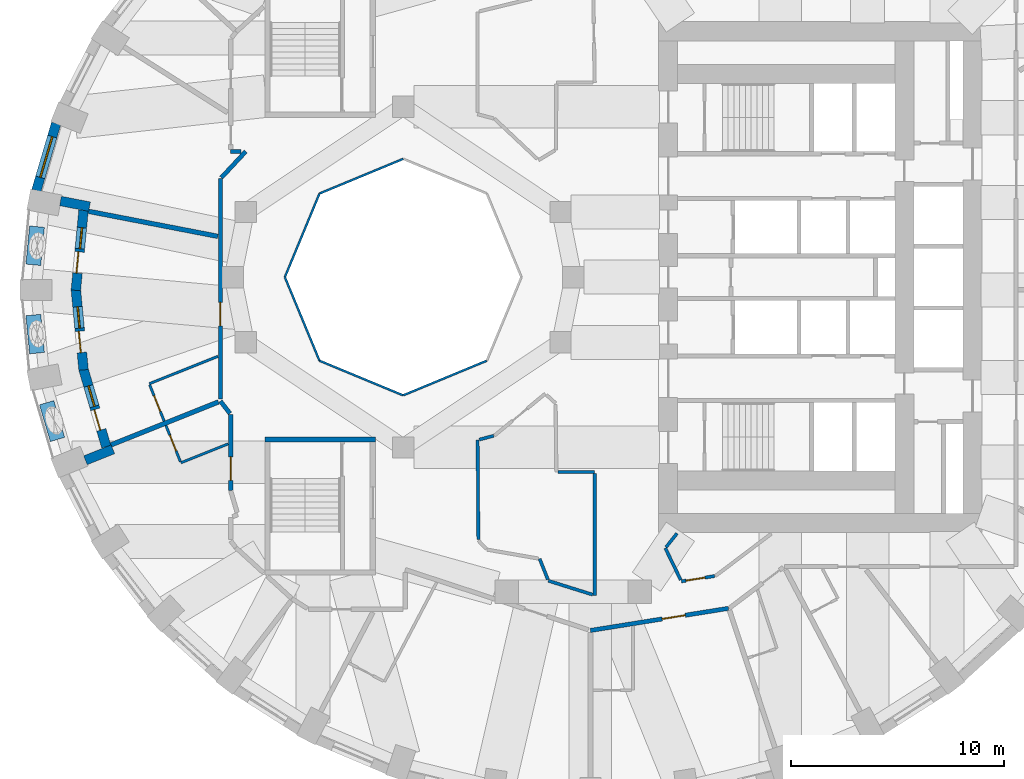
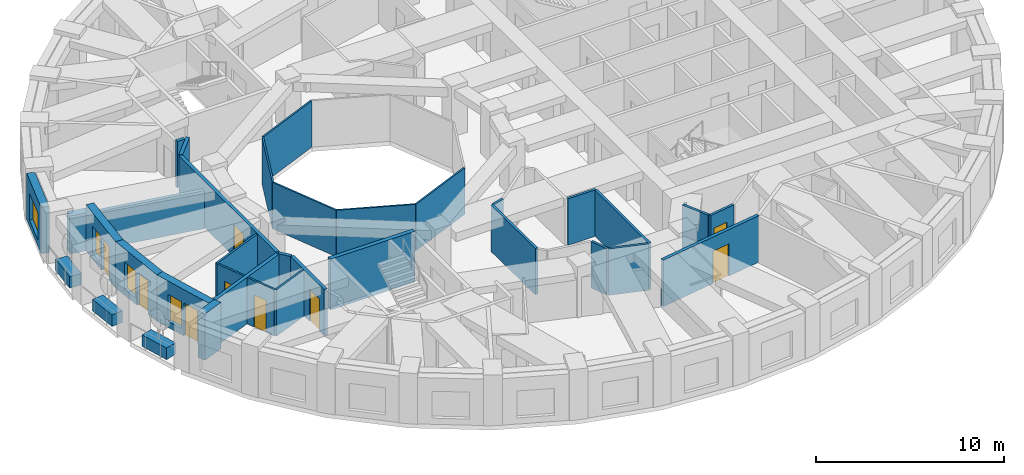
# One storey, part 4 of 12: 36 walls, 9 doors, 4 windows, 13 openings.
"""IFC4 building model written with IfcOpenShell, lengths in metres."""

from ifc_helpers import new_model, si_unit, direction, frame, frame_2d, origin, place, context, subcontext, project, spatial, rectangle, extrude, material, layer, layer_set, constituent, constituent_set, type_object, element, fill, save


model = new_model("IFC4")

# Units and contexts
model_context = context("Model", 3, precision=1e-05, world=origin(), true_north=direction((0.0, 1.0)))
body_context = subcontext(model_context, "Body", "Model", "MODEL_VIEW")
ifc_project = project(units=[si_unit("LENGTHUNIT", "METRE"), si_unit("AREAUNIT", "SQUARE_METRE"), si_unit("VOLUMEUNIT", "CUBIC_METRE"), si_unit("PLANEANGLEUNIT", "RADIAN"), si_unit("MASSUNIT", "GRAM", prefix="KILO")], contexts=[model_context])

# Site, building, storey
site_placement = place(None, origin())
site = spatial("IfcSite", under=ifc_project, at=site_placement, CompositionType="ELEMENT")
building_placement = place(site_placement, origin())
building = spatial("IfcBuilding", under=site, at=building_placement, Name="Taillehof Tower", CompositionType="ELEMENT")
storey_placement = place(building_placement, frame((0.0, 0.0, 98.800048828125)))
storey = spatial("IfcBuildingStorey", under=building, at=storey_placement, Name="L27", CompositionType="ELEMENT", Elevation=98.800048828125)

# Walls
ifc_material_1 = material(Name="Fire-resisting glass in steel frame", Category="steel")
ifc_layer_1 = layer(ifc_material_1, 0.10009765625)
ifc_layer_set_1 = layer_set([ifc_layer_1], Name="Atrium fire-resisting screen EI 60 100")
wall_type_1 = type_object("IfcWallType", Name="Atrium fire-resisting screen EI 60 100", PredefinedType="PARTITIONING", material=ifc_layer_set_1)
for number, where, z_axis, x_axis, name in (
    (1, (-4.07275390625, -3.92724609375, 0.0), (0.0, 0.0, 1.0), (-0.923860025149, -0.382730523909, 0.0), "Atrium screen"),
    (2, (-8.0, -5.55419921875, 0.0), (0.0, 0.0, 1.0), (-0.923860025149, 0.382730523909, 0.0), "Atrium screen"),
    (3, (-11.92724609375, -3.92724609375, 0.0), (0.0, 0.0, 1.0), (-0.382730523909, 0.923860025149, 0.0), "Atrium screen"),
    (4, (-13.55419921875, 0.0, 0.0), (0.0, 0.0, 1.0), (0.382730523909, 0.923860025149, 0.0), "Atrium screen"),
    (5, (-11.92724609375, 3.92724609375, 0.0), (0.0, 0.0, 1.0), (0.923860025149, 0.382730523909, 0.0), "Atrium screen"),
):
    element("IfcWall", number, at=place(storey_placement, frame(where, z_axis=z_axis, x_axis=x_axis)), inside=storey, type_object=wall_type_1, Name=name, PredefinedType="PARTITIONING", context=body_context, shape_type="SweptSolid", body=[
        extrude(rectangle(XDim=4.2509765625, YDim=0.10009765625, at=frame_2d((2.12548828125, 0.0))), origin(), (0.0, 0.0, 1.0), 3.02001953125),
    ])

# Wall, opening, window
ifc_material_2 = material(Name="Brick masonry", Category="masonry")
ifc_layer_2 = layer(ifc_material_2, 0.449951171875)
ifc_layer_set_2 = layer_set([ifc_layer_2], Name="Brick infill wall 450")
wall_type_2 = type_object("IfcWallType", Name="Brick infill wall 450", PredefinedType="SOLIDWALL", material=ifc_layer_set_2)
wall_1_placement = place(storey_placement, frame((-24.302001953125, 7.220703125, 0.0), z_axis=(0.0, 0.0, 1.0), x_axis=(-0.283071248438, -0.959098883488, 0.0)))
wall_1 = element("IfcWall", 6, at=wall_1_placement, inside=storey, type_object=wall_type_2, Name="Brick wall L27 bay 17", PredefinedType="SOLIDWALL", context=body_context, shape_type="SweptSolid", body=[
    extrude(rectangle(XDim=3.2861328125, YDim=0.449951171875, at=frame_2d((1.64306640625, 0.0))), origin(), (0.0, 0.0, 1.0), 3.02001953125),
])
opening_1_placement = place(wall_1_placement, frame((0.64306640625, 0.0, 0.39990234375)))
opening_1 = element("IfcOpeningElement", 7, at=opening_1_placement, cuts=wall_1, Name="Opening W2", PredefinedType="OPENING", context=body_context, shape_type="SweptSolid", body=[
    extrude(rectangle(XDim=2.0, YDim=1.75, at=frame_2d((1.0, 0.875))), frame((0.0, 0.23486328125, 0.0), z_axis=(0.0, -1.0, 0.0), x_axis=(1.0, 0.0, 0.0)), (0.0, 0.0, 1.0), 0.469970703125),
])
ifc_material_3 = material(Name="Aluminium window frame with clear double glazing", Category="aluminium")
window_type_1 = type_object("IfcWindowType", Name="Deep-set window 2000x1750", PartitioningType="SINGLE_PANEL", PredefinedType="WINDOW", material=ifc_material_3)
window_1_placement = place(opening_1_placement, origin())
window_1 = element("IfcWindow", 8, at=window_1_placement, inside=storey, type_object=window_type_1, Name="W2", OverallHeight=1.75, OverallWidth=2.0, PartitioningType="SINGLE_PANEL", PredefinedType="WINDOW", context=body_context, shape_type="SweptSolid", body=[
    extrude(rectangle(XDim=2.0, YDim=1.75, at=frame_2d((1.0, 0.875))), frame((0.0, 0.034912109375, 0.0), z_axis=(0.0, -1.0, 0.0), x_axis=(1.0, 0.0, 0.0)), (0.0, 0.0, 1.0), 0.06005859375),
])
fill(opening_1, window_1)

# Walls
wall_2_placement = place(storey_placement, frame((-24.09716796875, 3.576416015625, 0.0), z_axis=(0.0, 0.0, 1.0), x_axis=(0.981777736615, -0.190032828447, 0.0)))
element("IfcWall", 9, at=wall_2_placement, inside=storey, type_object=wall_type_2, Name="Brick reveal L27 pocket 5", PredefinedType="SOLIDWALL", context=body_context, shape_type="SweptSolid", body=[
    extrude(rectangle(XDim=1.39013671875, YDim=0.449951171875, at=frame_2d((0.695068359375, 0.0))), origin(), (0.0, 0.0, 1.0), 2.469970703125),
])
wall_3_placement = place(storey_placement, frame((-22.92626953125, -8.60498046875, 0.0), z_axis=(0.0, 0.0, 1.0), x_axis=(0.928549333349, 0.371209018665, 0.0)))
element("IfcWall", 10, at=wall_3_placement, inside=storey, type_object=wall_type_2, Name="Brick reveal L27 pocket 5", PredefinedType="SOLIDWALL", context=body_context, shape_type="SweptSolid", body=[
    extrude(rectangle(XDim=1.390380859375, YDim=0.449951171875, at=frame_2d((0.6953125, 0.0))), origin(), (0.0, 0.0, 1.0), 3.02001953125),
])

# Wall, openings, door, window
wall_4_placement = place(storey_placement, frame((-23.0146484375, 3.1376953125, 0.0), z_axis=(0.0, 0.0, 1.0), x_axis=(-0.095675452713, -0.995412581671, 0.0)))
wall_4 = element("IfcWall", 11, at=wall_4_placement, inside=storey, type_object=wall_type_2, Name="Brick wall L27 pocket bay 18", PredefinedType="SOLIDWALL", context=body_context, shape_type="SweptSolid", body=[
    extrude(rectangle(XDim=3.776611328125, YDim=0.449951171875, at=frame_2d((1.88818359375, 0.0))), origin(), (0.0, 0.0, 1.0), 3.02001953125),
])
opening_2_placement = place(wall_4_placement, frame((0.813232421875, 0.0, 0.39990234375)))
opening_2 = element("IfcOpeningElement", 12, at=opening_2_placement, cuts=wall_4, Name="Opening W5", PredefinedType="OPENING", context=body_context, shape_type="SweptSolid", body=[
    extrude(rectangle(XDim=1.0, YDim=1.75, at=frame_2d((0.5, 0.875))), frame((0.0, 0.23486328125, 0.0), z_axis=(0.0, -1.0, 0.0), x_axis=(1.0, 0.0, 0.0)), (0.0, 0.0, 1.0), 0.469970703125),
])
opening_3_placement = place(wall_4_placement, frame((1.96337890625, 0.0, 0.0)))
opening_3 = element("IfcOpeningElement", 13, at=opening_3_placement, cuts=wall_4, Name="Opening D2794", PredefinedType="OPENING", context=body_context, shape_type="SweptSolid", body=[
    extrude(rectangle(XDim=1.0, YDim=2.14990234375, at=frame_2d((0.5, 1.074951171875))), frame((0.0, 0.23486328125, 0.0), z_axis=(0.0, -1.0, 0.0), x_axis=(1.0, 0.0, 0.0)), (0.0, 0.0, 1.0), 0.469970703125),
])
ifc_material_4 = material(Name="Aluminium door frame with clear double glazing", Category="aluminium")
door_type_1 = type_object("IfcDoorType", Name="Balcony door 1000x2150", OperationType="SINGLE_SWING_RIGHT", PredefinedType="DOOR", material=ifc_material_4)
door_1_placement = place(opening_3_placement, frame((1.0, 0.0, 0.0), z_axis=(0.0, 0.0, 1.0), x_axis=(-1.0, 0.0, 0.0)))
door_1 = element("IfcDoor", 14, at=door_1_placement, inside=storey, type_object=door_type_1, Name="Balcony door L27 bay 18", OperationType="SINGLE_SWING_RIGHT", OverallHeight=2.14990234375, OverallWidth=1.0, PredefinedType="DOOR", context=body_context, shape_type="SweptSolid", body=[
    extrude(rectangle(XDim=1.0, YDim=2.14990234375, at=frame_2d((0.5, 1.074951171875))), frame((0.0, 0.0751953125, 0.0), z_axis=(0.0, -1.0, 0.0), x_axis=(1.0, 0.0, 0.0)), (0.0, 0.0, 1.0), 0.050048828125),
])
fill(opening_3, door_1)
ifc_material_5 = material(Name="Aluminium window frame with clear double glazing", Category="aluminium")
window_type_2 = type_object("IfcWindowType", Name="Fixed window 1000x1750", PartitioningType="SINGLE_PANEL", PredefinedType="WINDOW", material=ifc_material_5)
window_2_placement = place(opening_2_placement, origin())
window_2 = element("IfcWindow", 15, at=window_2_placement, inside=storey, type_object=window_type_2, Name="W5", OverallHeight=1.75, OverallWidth=1.0, PartitioningType="SINGLE_PANEL", PredefinedType="WINDOW", context=body_context, shape_type="SweptSolid", body=[
    extrude(rectangle(XDim=1.0, YDim=1.75, at=frame_2d((0.5, 0.875))), frame((0.0, 0.034912109375, 0.0), z_axis=(0.0, -1.0, 0.0), x_axis=(1.0, 0.0, 0.0)), (0.0, 0.0, 1.0), 0.06005859375),
])
fill(opening_2, window_2)

wall_5_placement = place(storey_placement, frame((-23.3759765625, -0.578369140625, 0.0), z_axis=(0.0, 0.0, 1.0), x_axis=(0.095646267275, -0.995415386437, 0.0)))
wall_5 = element("IfcWall", 16, at=wall_5_placement, inside=storey, type_object=wall_type_2, Name="Brick wall L27 pocket bay 19", PredefinedType="SOLIDWALL", context=body_context, shape_type="SweptSolid", body=[
    extrude(rectangle(XDim=3.798095703125, YDim=0.449951171875, at=frame_2d((1.89892578125, 0.0))), origin(), (0.0, 0.0, 1.0), 3.02001953125),
])
opening_4_placement = place(wall_5_placement, frame((0.823974609375, 0.0, 0.39990234375)))
opening_4 = element("IfcOpeningElement", 17, at=opening_4_placement, cuts=wall_5, Name="Opening W5", PredefinedType="OPENING", context=body_context, shape_type="SweptSolid", body=[
    extrude(rectangle(XDim=1.0, YDim=1.75, at=frame_2d((0.5, 0.875))), frame((0.0, 0.23486328125, 0.0), z_axis=(0.0, -1.0, 0.0), x_axis=(1.0, 0.0, 0.0)), (0.0, 0.0, 1.0), 0.469970703125),
])
opening_5_placement = place(wall_5_placement, frame((1.97412109375, 0.0, 0.0)))
opening_5 = element("IfcOpeningElement", 18, at=opening_5_placement, cuts=wall_5, Name="Opening D2795", PredefinedType="OPENING", context=body_context, shape_type="SweptSolid", body=[
    extrude(rectangle(XDim=1.0, YDim=2.14990234375, at=frame_2d((0.5, 1.074951171875))), frame((0.0, 0.23486328125, 0.0), z_axis=(0.0, -1.0, 0.0), x_axis=(1.0, 0.0, 0.0)), (0.0, 0.0, 1.0), 0.469970703125),
])
door_2_placement = place(opening_5_placement, frame((1.0, 0.0, 0.0), z_axis=(0.0, 0.0, 1.0), x_axis=(-1.0, 0.0, 0.0)))
door_2 = element("IfcDoor", 19, at=door_2_placement, inside=storey, type_object=door_type_1, Name="Balcony door L27 bay 19", OperationType="SINGLE_SWING_LEFT", OverallHeight=2.14990234375, OverallWidth=1.0, PredefinedType="DOOR", context=body_context, shape_type="SweptSolid", body=[
    extrude(rectangle(XDim=1.0, YDim=2.14990234375, at=frame_2d((0.5, 1.074951171875))), frame((0.0, 0.0751953125, 0.0), z_axis=(0.0, -1.0, 0.0), x_axis=(1.0, 0.0, 0.0)), (0.0, 0.0, 1.0), 0.050048828125),
])
fill(opening_5, door_2)
window_3_placement = place(opening_4_placement, origin())
window_3 = element("IfcWindow", 20, at=window_3_placement, inside=storey, type_object=window_type_2, Name="W5", OverallHeight=1.75, OverallWidth=1.0, PartitioningType="SINGLE_PANEL", PredefinedType="WINDOW", context=body_context, shape_type="SweptSolid", body=[
    extrude(rectangle(XDim=1.0, YDim=1.75, at=frame_2d((0.5, 0.875))), frame((0.0, 0.034912109375, 0.0), z_axis=(0.0, -1.0, 0.0), x_axis=(1.0, 0.0, 0.0)), (0.0, 0.0, 1.0), 0.06005859375),
])
fill(opening_4, window_3)

wall_6_placement = place(storey_placement, frame((-23.020751953125, -4.317138671875, 0.0), z_axis=(0.0, 0.0, 1.0), x_axis=(0.282391916129, -0.959299122123, 0.0)))
wall_6 = element("IfcWall", 21, at=wall_6_placement, inside=storey, type_object=wall_type_2, Name="Brick wall L27 pocket bay 20", PredefinedType="SOLIDWALL", context=body_context, shape_type="SweptSolid", body=[
    extrude(rectangle(XDim=3.808349609375, YDim=0.449951171875, at=frame_2d((1.904296875, 0.0))), origin(), (0.0, 0.0, 1.0), 3.02001953125),
])
opening_6_placement = place(wall_6_placement, frame((0.8291015625, 0.0, 0.39990234375)))
opening_6 = element("IfcOpeningElement", 22, at=opening_6_placement, cuts=wall_6, Name="Opening W5", PredefinedType="OPENING", context=body_context, shape_type="SweptSolid", body=[
    extrude(rectangle(XDim=1.0, YDim=1.75, at=frame_2d((0.5, 0.875))), frame((0.0, 0.23486328125, 0.0), z_axis=(0.0, -1.0, 0.0), x_axis=(1.0, 0.0, 0.0)), (0.0, 0.0, 1.0), 0.469970703125),
])
opening_7_placement = place(wall_6_placement, frame((1.979248046875, 0.0, 0.0)))
opening_7 = element("IfcOpeningElement", 23, at=opening_7_placement, cuts=wall_6, Name="Opening D2796", PredefinedType="OPENING", context=body_context, shape_type="SweptSolid", body=[
    extrude(rectangle(XDim=1.0, YDim=2.14990234375, at=frame_2d((0.5, 1.074951171875))), frame((0.0, 0.23486328125, 0.0), z_axis=(0.0, -1.0, 0.0), x_axis=(1.0, 0.0, 0.0)), (0.0, 0.0, 1.0), 0.469970703125),
])
door_3_placement = place(opening_7_placement, frame((1.0, 0.0, 0.0), z_axis=(0.0, 0.0, 1.0), x_axis=(-1.0, 0.0, 0.0)))
door_3 = element("IfcDoor", 24, at=door_3_placement, inside=storey, type_object=door_type_1, Name="Balcony door L27 bay 20", OperationType="SINGLE_SWING_LEFT", OverallHeight=2.14990234375, OverallWidth=1.0, PredefinedType="DOOR", context=body_context, shape_type="SweptSolid", body=[
    extrude(rectangle(XDim=1.0, YDim=2.14990234375, at=frame_2d((0.5, 1.074951171875))), frame((0.0, 0.0751953125, 0.0), z_axis=(0.0, -1.0, 0.0), x_axis=(1.0, 0.0, 0.0)), (0.0, 0.0, 1.0), 0.050048828125),
])
fill(opening_7, door_3)
window_4_placement = place(opening_6_placement, origin())
window_4 = element("IfcWindow", 25, at=window_4_placement, inside=storey, type_object=window_type_2, Name="W5", OverallHeight=1.75, OverallWidth=1.0, PartitioningType="SINGLE_PANEL", PredefinedType="WINDOW", context=body_context, shape_type="SweptSolid", body=[
    extrude(rectangle(XDim=1.0, YDim=1.75, at=frame_2d((0.5, 0.875))), frame((0.0, 0.034912109375, 0.0), z_axis=(0.0, -1.0, 0.0), x_axis=(1.0, 0.0, 0.0)), (0.0, 0.0, 1.0), 0.06005859375),
])
fill(opening_6, window_4)

# Wall, opening, door
ifc_material_6 = material(Name="Gypsum board on steel studs, two layers each side", Category="steel")
ifc_layer_3 = layer(ifc_material_6, 0.199951171875)
ifc_layer_set_3 = layer_set([ifc_layer_3], Name="Compartment wall corridor 200")
wall_type_3 = type_object("IfcWallType", Name="Compartment wall corridor 200", PredefinedType="PARTITIONING", material=ifc_layer_set_3)
wall_7_placement = place(storey_placement, frame((-16.10009765625, -10.013427734375, 0.0), z_axis=(0.0, 0.0, 1.0), x_axis=(0.0, 1.0, 0.0)))
wall_7 = element("IfcWall", 26, at=wall_7_placement, inside=storey, type_object=wall_type_3, Name="Compartment wall", PredefinedType="PARTITIONING", context=body_context, shape_type="SweptSolid", body=[
    extrude(rectangle(XDim=3.561279296875, YDim=0.199951171875, at=frame_2d((1.78076171875, 0.0))), origin(), (0.0, 0.0, 1.0), 3.02001953125),
])
opening_8_placement = place(wall_7_placement, frame((0.47021484375, 0.0, 0.0)))
opening_8 = element("IfcOpeningElement", 27, at=opening_8_placement, cuts=wall_7, Name="Opening D2750", PredefinedType="OPENING", context=body_context, shape_type="SweptSolid", body=[
    extrude(rectangle(XDim=1.10009765625, YDim=2.10009765625, at=frame_2d((0.550048828125, 1.050048828125))), frame((0.0, 0.10986328125, 0.0), z_axis=(0.0, -1.0, 0.0), x_axis=(1.0, 0.0, 0.0)), (0.0, 0.0, 1.0), 0.219970703125),
])
ifc_material_7 = material(Name="Timber door leaf in steel frame", Category="steel")
door_type_2 = type_object("IfcDoorType", Name="Suite entrance door EI 30 1100 x 2100", OperationType="SINGLE_SWING_LEFT", PredefinedType="DOOR", material=ifc_material_7)
door_4_placement = place(opening_8_placement, origin())
door_4 = element("IfcDoor", 28, at=door_4_placement, inside=storey, type_object=door_type_2, Name="D2750", OperationType="SINGLE_SWING_RIGHT", OverallHeight=2.10009765625, OverallWidth=1.10009765625, PredefinedType="DOOR", context=body_context, shape_type="SweptSolid", body=[
    extrude(rectangle(XDim=1.10009765625, YDim=2.10009765625, at=frame_2d((0.550048828125, 1.050048828125))), frame((0.0, 0.02490234375, 0.0), z_axis=(0.0, -1.0, 0.0), x_axis=(1.0, 0.0, 0.0)), (0.0, 0.0, 1.0), 0.050048828125),
])
fill(opening_8, door_4)

# Wall
wall_8_placement = place(storey_placement, frame((-16.13671875, -6.404541015625, 0.0), z_axis=(0.0, 0.0, 1.0), x_axis=(-0.612388914667, 0.790556650211, 0.0)))
element("IfcWall", 29, at=wall_8_placement, inside=storey, type_object=wall_type_3, Name="Compartment wall", PredefinedType="PARTITIONING", context=body_context, shape_type="SweptSolid", body=[
    extrude(rectangle(XDim=0.73046875, YDim=0.199951171875, at=frame_2d((0.365234375, 0.0))), origin(), (0.0, 0.0, 1.0), 3.02001953125),
])

# Wall, opening, door
wall_9_placement = place(storey_placement, frame((-16.583984375, -5.72705078125, 0.0), z_axis=(0.0, 0.0, 1.0), x_axis=(0.0, 1.0, 0.0)))
wall_9 = element("IfcWall", 30, at=wall_9_placement, inside=storey, type_object=wall_type_3, Name="Compartment wall", PredefinedType="PARTITIONING", context=body_context, shape_type="SweptSolid", body=[
    extrude(rectangle(XDim=10.354248046875, YDim=0.199951171875, at=frame_2d((5.17724609375, 0.0))), origin(), (0.0, 0.0, 1.0), 3.02001953125),
])
opening_9_placement = place(wall_9_placement, frame((3.439208984375, 0.0, 0.0)))
opening_9 = element("IfcOpeningElement", 31, at=opening_9_placement, cuts=wall_9, Name="Opening D2748", PredefinedType="OPENING", context=body_context, shape_type="SweptSolid", body=[
    extrude(rectangle(XDim=1.10009765625, YDim=2.10009765625, at=frame_2d((0.550048828125, 1.050048828125))), frame((0.0, 0.10986328125, 0.0), z_axis=(0.0, -1.0, 0.0), x_axis=(1.0, 0.0, 0.0)), (0.0, 0.0, 1.0), 0.219970703125),
])
door_5_placement = place(opening_9_placement, origin())
door_5 = element("IfcDoor", 32, at=door_5_placement, inside=storey, type_object=door_type_2, Name="D2748", OperationType="SINGLE_SWING_LEFT", OverallHeight=2.10009765625, OverallWidth=1.10009765625, PredefinedType="DOOR", context=body_context, shape_type="SweptSolid", body=[
    extrude(rectangle(XDim=1.10009765625, YDim=2.10009765625, at=frame_2d((0.550048828125, 1.050048828125))), frame((0.0, 0.02490234375, 0.0), z_axis=(0.0, -1.0, 0.0), x_axis=(1.0, 0.0, 0.0)), (0.0, 0.0, 1.0), 0.050048828125),
])
fill(opening_9, door_5)

# Walls
wall_10_placement = place(storey_placement, frame((-16.54296875, 4.671142578125, 0.0), z_axis=(0.0, 0.0, 1.0), x_axis=(0.681815766934, 0.731523929861, 0.0)))
element("IfcWall", 33, at=wall_10_placement, inside=storey, type_object=wall_type_3, Name="Compartment wall", PredefinedType="PARTITIONING", context=body_context, shape_type="SweptSolid", body=[
    extrude(rectangle(XDim=1.6796875, YDim=0.199951171875, at=frame_2d((0.83984375, 0.0))), origin(), (0.0, 0.0, 1.0), 3.02001953125),
])
wall_11_placement = place(storey_placement, frame((-15.617919921875, 5.89990234375, 0.0), z_axis=(0.0, 0.0, 1.0), x_axis=(-1.0, 0.0, 0.0)))
element("IfcWall", 34, at=wall_11_placement, inside=storey, type_object=wall_type_3, Name="Compartment wall", PredefinedType="PARTITIONING", context=body_context, shape_type="SweptSolid", body=[
    extrude(rectangle(XDim=0.482177734375, YDim=0.199951171875, at=frame_2d((0.2412109375, 0.0))), origin(), (0.0, 0.0, 1.0), 3.02001953125),
])

# Wall, opening, door
wall_12_placement = place(storey_placement, frame((7.284423828125, -15.561279296875, 0.0), z_axis=(0.0, 0.0, 1.0), x_axis=(-0.987409293733, -0.158186240393, 0.0)))
wall_12 = element("IfcWall", 35, at=wall_12_placement, inside=storey, type_object=wall_type_3, Name="Compartment wall", PredefinedType="PARTITIONING", context=body_context, shape_type="SweptSolid", body=[
    extrude(rectangle(XDim=6.567138671875, YDim=0.199951171875, at=frame_2d((3.28369140625, 0.0))), origin(), (0.0, 0.0, 1.0), 3.02001953125),
])
opening_10_placement = place(wall_12_placement, frame((2.057373046875, 0.0, 0.0)))
opening_10 = element("IfcOpeningElement", 36, at=opening_10_placement, cuts=wall_12, Name="Opening D2755", PredefinedType="OPENING", context=body_context, shape_type="SweptSolid", body=[
    extrude(rectangle(XDim=1.10009765625, YDim=2.10009765625, at=frame_2d((0.550048828125, 1.050048828125))), frame((0.0, 0.10986328125, 0.0), z_axis=(0.0, -1.0, 0.0), x_axis=(1.0, 0.0, 0.0)), (0.0, 0.0, 1.0), 0.219970703125),
])
door_6_placement = place(opening_10_placement, origin())
door_6 = element("IfcDoor", 37, at=door_6_placement, inside=storey, type_object=door_type_2, Name="D2755", OperationType="SINGLE_SWING_RIGHT", OverallHeight=2.10009765625, OverallWidth=1.10009765625, PredefinedType="DOOR", context=body_context, shape_type="SweptSolid", body=[
    extrude(rectangle(XDim=1.10009765625, YDim=2.10009765625, at=frame_2d((0.550048828125, 1.050048828125))), frame((0.0, 0.02490234375, 0.0), z_axis=(0.0, -1.0, 0.0), x_axis=(1.0, 0.0, 0.0)), (0.0, 0.0, 1.0), 0.050048828125),
])
fill(opening_10, door_6)

# Walls
ifc_material_8 = material(Name="Gypsum board on double steel studs with mineral wool", Category="steel")
ifc_layer_4 = layer(ifc_material_8, 0.219970703125)
ifc_layer_set_4 = layer_set([ifc_layer_4], Name="Compartment wall guest room 220")
wall_type_4 = type_object("IfcWallType", Name="Compartment wall guest room 220", PredefinedType="PARTITIONING", material=ifc_layer_set_4)
wall_13_placement = place(storey_placement, frame((-22.792724609375, 3.0947265625, 0.0), z_axis=(0.0, 0.0, 1.0), x_axis=(0.98175994641, -0.190124715976, 0.0)))
element("IfcWall", 38, at=wall_13_placement, inside=storey, type_object=wall_type_4, Name="Compartment wall", PredefinedType="PARTITIONING", context=body_context, shape_type="SweptSolid", body=[
    extrude(rectangle(XDim=6.2021484375, YDim=0.219970703125, at=frame_2d((3.10107421875, 0.0))), origin(), (0.0, 0.0, 1.0), 2.469970703125),
])
wall_14_placement = place(storey_placement, frame((-21.735595703125, -7.88671875, 0.0), z_axis=(0.0, 0.0, 1.0), x_axis=(0.928513770625, 0.371297963583, 0.0)))
element("IfcWall", 39, at=wall_14_placement, inside=storey, type_object=wall_type_4, Name="Compartment wall", PredefinedType="PARTITIONING", context=body_context, shape_type="SweptSolid", body=[
    extrude(rectangle(XDim=5.4482421875, YDim=0.219970703125, at=frame_2d((2.72412109375, 0.0))), origin(), (0.0, 0.0, 1.0), 3.02001953125),
])
ifc_material_9 = material(Name="Gypsum board on steel studs, two layers each side", Category="steel")
ifc_layer_5 = layer(ifc_material_9, 0.14990234375)
ifc_layer_set_5 = layer_set([ifc_layer_5], Name="Compartment wall service room 150")
wall_type_5 = type_object("IfcWallType", Name="Compartment wall service room 150", PredefinedType="PARTITIONING", material=ifc_layer_set_5)
wall_15_placement = place(storey_placement, frame((-0.719970703125, -9.14990234375, 0.0), z_axis=(0.0, 0.0, 1.0), x_axis=(1.0, 0.0, 0.0)))
element("IfcWall", 40, at=wall_15_placement, inside=storey, type_object=wall_type_5, Name="Compartment wall", PredefinedType="PARTITIONING", context=body_context, shape_type="SweptSolid", body=[
    extrude(rectangle(XDim=1.719970703125, YDim=0.14990234375, at=frame_2d((0.85986328125, 0.0))), origin(), (0.0, 0.0, 1.0), 3.02001953125),
])
wall_16_placement = place(storey_placement, frame((1.0, -9.22998046875, 0.0), z_axis=(0.0, 0.0, 1.0), x_axis=(0.0, -1.0, 0.0)))
element("IfcWall", 41, at=wall_16_placement, inside=storey, type_object=wall_type_5, Name="Compartment wall", PredefinedType="PARTITIONING", context=body_context, shape_type="SweptSolid", body=[
    extrude(rectangle(XDim=5.717529296875, YDim=0.14990234375, at=frame_2d((2.85888671875, 0.0))), origin(), (0.0, 0.0, 1.0), 3.02001953125),
])
wall_17_placement = place(storey_placement, frame((0.90478515625, -14.918212890625, 0.0), z_axis=(0.0, 0.0, 1.0), x_axis=(-0.954324426349, 0.298772303391, 0.0)))
element("IfcWall", 42, at=wall_17_placement, inside=storey, type_object=wall_type_5, Name="Compartment wall", PredefinedType="PARTITIONING", context=body_context, shape_type="SweptSolid", body=[
    extrude(rectangle(XDim=2.18017578125, YDim=0.14990234375, at=frame_2d((1.090087890625, 0.0))), origin(), (0.0, 0.0, 1.0), 3.02001953125),
])
wall_18_placement = place(storey_placement, frame((-1.19775390625, -14.211181640625, 0.0), z_axis=(0.0, 0.0, 1.0), x_axis=(-0.368390833177, 0.929671013871, 0.0)))
element("IfcWall", 43, at=wall_18_placement, inside=storey, type_object=wall_type_5, Name="Compartment wall", PredefinedType="PARTITIONING", context=body_context, shape_type="SweptSolid", body=[
    extrude(rectangle(XDim=1.052978515625, YDim=0.14990234375, at=frame_2d((0.5263671875, 0.0))), origin(), (0.0, 0.0, 1.0), 3.02001953125),
])
wall_19_placement = place(storey_placement, frame((-4.46435546875, -12.33740234375, 0.0), z_axis=(0.0, 0.0, 1.0), x_axis=(-0.007612272268, 0.999971026236, 0.0)))
element("IfcWall", 44, at=wall_19_placement, inside=storey, type_object=wall_type_5, Name="Compartment wall", PredefinedType="PARTITIONING", context=body_context, shape_type="SweptSolid", body=[
    extrude(rectangle(XDim=4.6826171875, YDim=0.14990234375, at=frame_2d((2.34130859375, 0.0))), origin(), (0.0, 0.0, 1.0), 3.02001953125),
])
wall_20_placement = place(storey_placement, frame((-4.4228515625, -7.634521484375, 0.0), z_axis=(0.0, 0.0, 1.0), x_axis=(0.965842837235, 0.259128566087, 0.0)))
element("IfcWall", 45, at=wall_20_placement, inside=storey, type_object=wall_type_5, Name="Compartment wall", PredefinedType="PARTITIONING", context=body_context, shape_type="SweptSolid", body=[
    extrude(rectangle(XDim=0.704833984375, YDim=0.14990234375, at=frame_2d((0.3525390625, 0.0))), origin(), (0.0, 0.0, 1.0), 3.02001953125),
])

# Wall, opening, door
wall_21_placement = place(storey_placement, frame((6.637451171875, -14.04443359375, 0.0), z_axis=(0.0, 0.0, 1.0), x_axis=(-0.987404968029, -0.158213239367, 0.0)))
wall_21 = element("IfcWall", 46, at=wall_21_placement, inside=storey, type_object=wall_type_5, Name="Compartment wall", PredefinedType="PARTITIONING", context=body_context, shape_type="SweptSolid", body=[
    extrude(rectangle(XDim=1.581787109375, YDim=0.14990234375, at=frame_2d((0.791015625, 0.0))), origin(), (0.0, 0.0, 1.0), 3.02001953125),
])
opening_11_placement = place(wall_21_placement, frame((0.461669921875, 0.0, 0.0)))
opening_11 = element("IfcOpeningElement", 47, at=opening_11_placement, cuts=wall_21, Name="Opening D2767", PredefinedType="OPENING", context=body_context, shape_type="SweptSolid", body=[
    extrude(rectangle(XDim=0.89990234375, YDim=2.10009765625, at=frame_2d((0.449951171875, 1.050048828125))), frame((0.0, 0.0849609375, 0.0), z_axis=(0.0, -1.0, 0.0), x_axis=(1.0, 0.0, 0.0)), (0.0, 0.0, 1.0), 0.169921875),
])
ifc_material_10 = material(Name="Timber door leaf in steel frame", Category="steel")
door_type_3 = type_object("IfcDoorType", Name="Service room door EI 30 900 x 2100", OperationType="SINGLE_SWING_LEFT", PredefinedType="DOOR", material=ifc_material_10)
door_7_placement = place(opening_11_placement, origin())
door_7 = element("IfcDoor", 48, at=door_7_placement, inside=storey, type_object=door_type_3, Name="D2767", OperationType="SINGLE_SWING_LEFT", OverallHeight=2.10009765625, OverallWidth=0.89990234375, PredefinedType="DOOR", context=body_context, shape_type="SweptSolid", body=[
    extrude(rectangle(XDim=0.89990234375, YDim=2.10009765625, at=frame_2d((0.449951171875, 1.050048828125))), frame((0.0, 0.02490234375, 0.0), z_axis=(0.0, -1.0, 0.0), x_axis=(1.0, 0.0, 0.0)), (0.0, 0.0, 1.0), 0.050048828125),
])
fill(opening_11, door_7)

# Walls
wall_22_placement = place(storey_placement, frame((5.04052734375, -14.222412109375, 0.0), z_axis=(0.0, 0.0, 1.0), x_axis=(-0.436031090703, 0.899931601812, 0.0)))
element("IfcWall", 49, at=wall_22_placement, inside=storey, type_object=wall_type_5, Name="Compartment wall", PredefinedType="PARTITIONING", context=body_context, shape_type="SweptSolid", body=[
    extrude(rectangle(XDim=1.65576171875, YDim=0.14990234375, at=frame_2d((0.827880859375, 0.0))), origin(), (0.0, 0.0, 1.0), 3.02001953125),
])
wall_23_placement = place(storey_placement, frame((4.35595703125, -12.685546875, 0.0), z_axis=(0.0, 0.0, 1.0), x_axis=(0.621438600293, 0.783462868339, 0.0)))
element("IfcWall", 50, at=wall_23_placement, inside=storey, type_object=wall_type_5, Name="Compartment wall", PredefinedType="PARTITIONING", context=body_context, shape_type="SweptSolid", body=[
    extrude(rectangle(XDim=0.82421875, YDim=0.14990234375, at=frame_2d((0.412109375, 0.0))), origin(), (0.0, 0.0, 1.0), 2.570068359375),
])
ifc_material_11 = material(Name="Gypsum board on steel studs, moisture resistant", Category="steel")
ifc_layer_6 = layer(ifc_material_11, 0.1201171875)
ifc_layer_set_6 = layer_set([ifc_layer_6], Name="En-suite wall 120")
wall_type_6 = type_object("IfcWallType", Name="En-suite wall 120", PredefinedType="PARTITIONING", material=ifc_layer_set_6)
wall_24_placement = place(storey_placement, frame((-16.70263671875, -3.720703125, 0.0), z_axis=(0.0, 0.0, 1.0), x_axis=(-0.928539725362, -0.371233051362, 0.0)))
element("IfcWall", 51, at=wall_24_placement, inside=storey, type_object=wall_type_6, Name="En-suite wall", PredefinedType="PARTITIONING", context=body_context, shape_type="SweptSolid", body=[
    extrude(rectangle(XDim=3.4716796875, YDim=0.1201171875, at=frame_2d((1.73583984375, 0.0))), origin(), (0.0, 0.0, 1.0), 3.02001953125),
])
wall_25_placement = place(storey_placement, frame((-16.21875, -7.8349609375, 0.0), z_axis=(0.0, 0.0, 1.0), x_axis=(-0.928532951542, -0.371249993806, 0.0)))
element("IfcWall", 52, at=wall_25_placement, inside=storey, type_object=wall_type_6, Name="En-suite wall", PredefinedType="PARTITIONING", context=body_context, shape_type="SweptSolid", body=[
    extrude(rectangle(XDim=2.393798828125, YDim=0.1201171875, at=frame_2d((1.19677734375, 0.0))), origin(), (0.0, 0.0, 1.0), 3.02001953125),
])

# Wall, opening, door
wall_26_placement = place(storey_placement, frame((-19.904052734375, -5.065185546875, 0.0), z_axis=(0.0, 0.0, 1.0), x_axis=(0.371275666236, -0.92852268667, 0.0)))
wall_26 = element("IfcWall", 53, at=wall_26_placement, inside=storey, type_object=wall_type_6, Name="En-suite wall", PredefinedType="PARTITIONING", context=body_context, shape_type="SweptSolid", body=[
    extrude(rectangle(XDim=1.830078125, YDim=0.1201171875, at=frame_2d((0.9150390625, 0.0))), origin(), (0.0, 0.0, 1.0), 3.02001953125),
])
opening_12_placement = place(wall_26_placement, frame((0.5400390625, 0.0, 0.0)))
opening_12 = element("IfcOpeningElement", 54, at=opening_12_placement, cuts=wall_26, Name="Opening D2749", PredefinedType="OPENING", context=body_context, shape_type="SweptSolid", body=[
    extrude(rectangle(XDim=0.800048828125, YDim=2.10009765625, at=frame_2d((0.39990234375, 1.050048828125))), frame((0.0, 0.070068359375, 0.0), z_axis=(0.0, -1.0, 0.0), x_axis=(1.0, 0.0, 0.0)), (0.0, 0.0, 1.0), 0.14013671875),
])
ifc_material_12 = material(Name="Timber door leaf in steel frame", Category="steel")
door_type_4 = type_object("IfcDoorType", Name="En-suite door 800 x 2100", OperationType="SINGLE_SWING_LEFT", PredefinedType="DOOR", material=ifc_material_12)
door_8_placement = place(opening_12_placement, origin())
door_8 = element("IfcDoor", 55, at=door_8_placement, inside=storey, type_object=door_type_4, Name="D2749", OperationType="SINGLE_SWING_LEFT", OverallHeight=2.10009765625, OverallWidth=0.800048828125, PredefinedType="DOOR", context=body_context, shape_type="SweptSolid", body=[
    extrude(rectangle(XDim=0.800048828125, YDim=2.10009765625, at=frame_2d((0.39990234375, 1.050048828125))), frame((0.0, 0.02490234375, 0.0), z_axis=(0.0, -1.0, 0.0), x_axis=(1.0, 0.0, 0.0)), (0.0, 0.0, 1.0), 0.050048828125),
])
fill(opening_12, door_8)

wall_27_placement = place(storey_placement, frame((-18.463623046875, -8.66796875, 0.0), z_axis=(0.0, 0.0, 1.0), x_axis=(-0.371275666236, 0.92852268667, 0.0)))
wall_27 = element("IfcWall", 56, at=wall_27_placement, inside=storey, type_object=wall_type_6, Name="En-suite wall", PredefinedType="PARTITIONING", context=body_context, shape_type="SweptSolid", body=[
    extrude(rectangle(XDim=1.830078125, YDim=0.1201171875, at=frame_2d((0.9150390625, 0.0))), origin(), (0.0, 0.0, 1.0), 3.02001953125),
])
opening_13_placement = place(wall_27_placement, frame((0.5400390625, 0.0, 0.0)))
opening_13 = element("IfcOpeningElement", 57, at=opening_13_placement, cuts=wall_27, Name="Opening D2751", PredefinedType="OPENING", context=body_context, shape_type="SweptSolid", body=[
    extrude(rectangle(XDim=0.800048828125, YDim=2.10009765625, at=frame_2d((0.39990234375, 1.050048828125))), frame((0.0, 0.070068359375, 0.0), z_axis=(0.0, -1.0, 0.0), x_axis=(1.0, 0.0, 0.0)), (0.0, 0.0, 1.0), 0.14013671875),
])
door_9_placement = place(opening_13_placement, origin())
door_9 = element("IfcDoor", 58, at=door_9_placement, inside=storey, type_object=door_type_4, Name="D2751", OperationType="SINGLE_SWING_RIGHT", OverallHeight=2.10009765625, OverallWidth=0.800048828125, PredefinedType="DOOR", context=body_context, shape_type="SweptSolid", body=[
    extrude(rectangle(XDim=0.800048828125, YDim=2.10009765625, at=frame_2d((0.39990234375, 1.050048828125))), frame((0.0, 0.02490234375, 0.0), z_axis=(0.0, -1.0, 0.0), x_axis=(1.0, 0.0, 0.0)), (0.0, 0.0, 1.0), 0.050048828125),
])
fill(opening_13, door_9)

# Walls
ifc_material_13 = material(Name="Concrete C30/37 precast", Category="concrete")
ifc_constituent_1 = constituent(ifc_material_13, Name="Structure", Category="concrete")
ifc_material_14 = material(Name="Insulated lining")
ifc_constituent_2 = constituent(ifc_material_14, Name="Lining")
ifc_constituent_set = constituent_set(constituents=[ifc_constituent_1, ifc_constituent_2], Name="Planter trough 700x750")
wall_type_7 = type_object("IfcWallType", Name="Planter trough 700x750", PredefinedType="USERDEFINED", material=ifc_constituent_set)
wall_28_placement = place(storey_placement, frame((-25.201416015625, 2.37158203125, 0.0), z_axis=(0.0, 0.0, 1.0), x_axis=(-0.0959036751, -0.995390619356, 0.0)))
element("IfcWall", 59, at=wall_28_placement, inside=storey, type_object=wall_type_7, Name="Planter L27 bay 18", ObjectType="PLANTER", PredefinedType="USERDEFINED", context=body_context, shape_type="SweptSolid", body=[
    extrude(rectangle(XDim=1.7998046875, YDim=0.699951171875, at=frame_2d((0.89990234375, 0.0))), origin(), (0.0, 0.0, 1.0), 0.75),
])
for number, where, z_axis, x_axis, name in (
    (60, (-25.3740234375, -1.780029296875, 0.0), (0.0, 0.0, 1.0), (0.09589072759, -0.995391866735, 0.0), "Planter L27 bay 19"),
    (61, (-24.74853515625, -5.90087890625, 0.0), (0.0, 0.0, 1.0), (0.283076786659, -0.959097248904, 0.0), "Planter L27 bay 20"),
):
    element("IfcWall", number, at=place(storey_placement, frame(where, z_axis=z_axis, x_axis=x_axis)), inside=storey, type_object=wall_type_7, Name=name, ObjectType="PLANTER", PredefinedType="USERDEFINED", context=body_context, shape_type="SweptSolid", body=[
        extrude(rectangle(XDim=1.800048828125, YDim=0.699951171875, at=frame_2d((0.89990234375, 0.0))), origin(), (0.0, 0.0, 1.0), 0.75),
    ])
ifc_material_15 = material(Name="Concrete C50/60", Category="concrete")
ifc_layer_7 = layer(ifc_material_15, 0.25)
ifc_layer_set_7 = layer_set([ifc_layer_7], Name="Stair wall C50/60 250")
wall_type_8 = type_object("IfcWallType", Name="Stair wall C50/60 250", PredefinedType="SHEAR", material=ifc_layer_set_7)
wall_29_placement = place(storey_placement, frame((-14.5, -7.625, -0.280029296875), z_axis=(0.0, 0.0, 1.0), x_axis=(1.0, 0.0, 0.0)))
element("IfcWall", 62, at=wall_29_placement, inside=storey, type_object=wall_type_8, Name="Stair wall SC", PredefinedType="SHEAR", context=body_context, shape_type="SweptSolid", body=[
    extrude(rectangle(XDim=5.199951171875, YDim=0.25, at=frame_2d((2.60009765625, 0.0))), origin(), (0.0, 0.0, 1.0), 3.300048828125),
])

save(model, "model.ifc")
